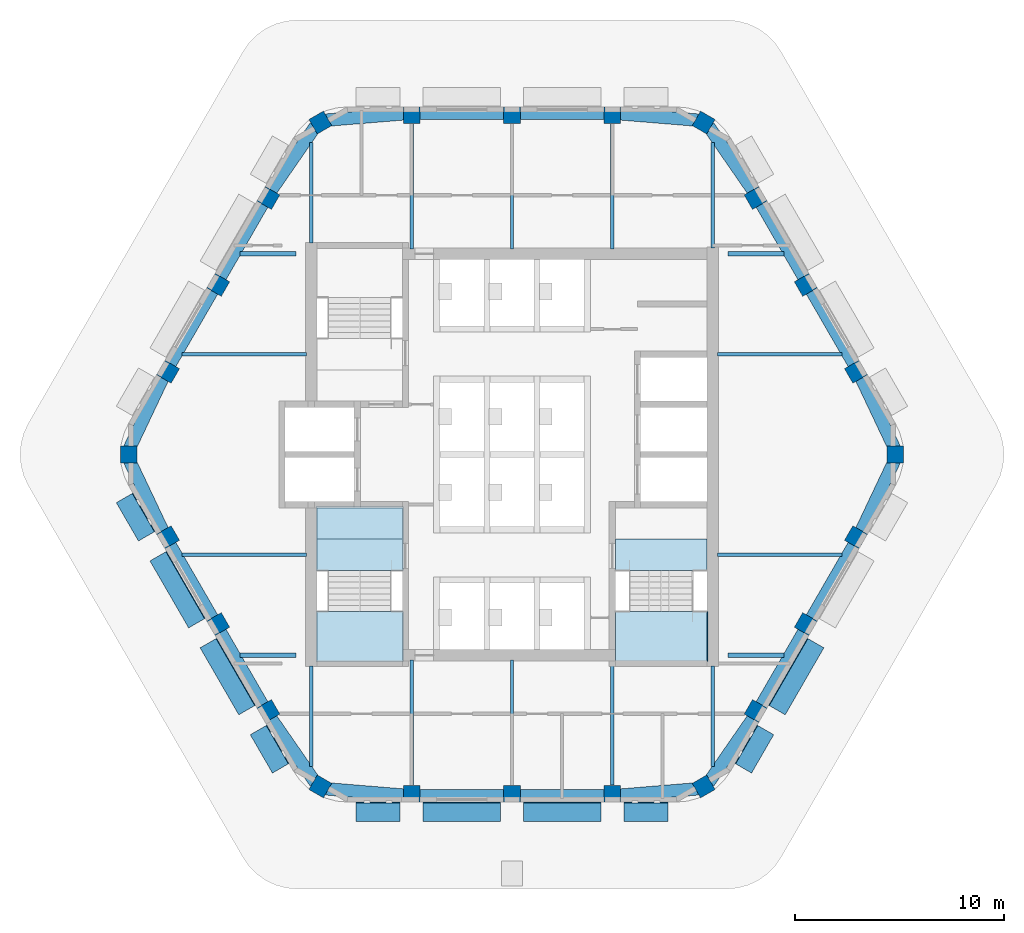
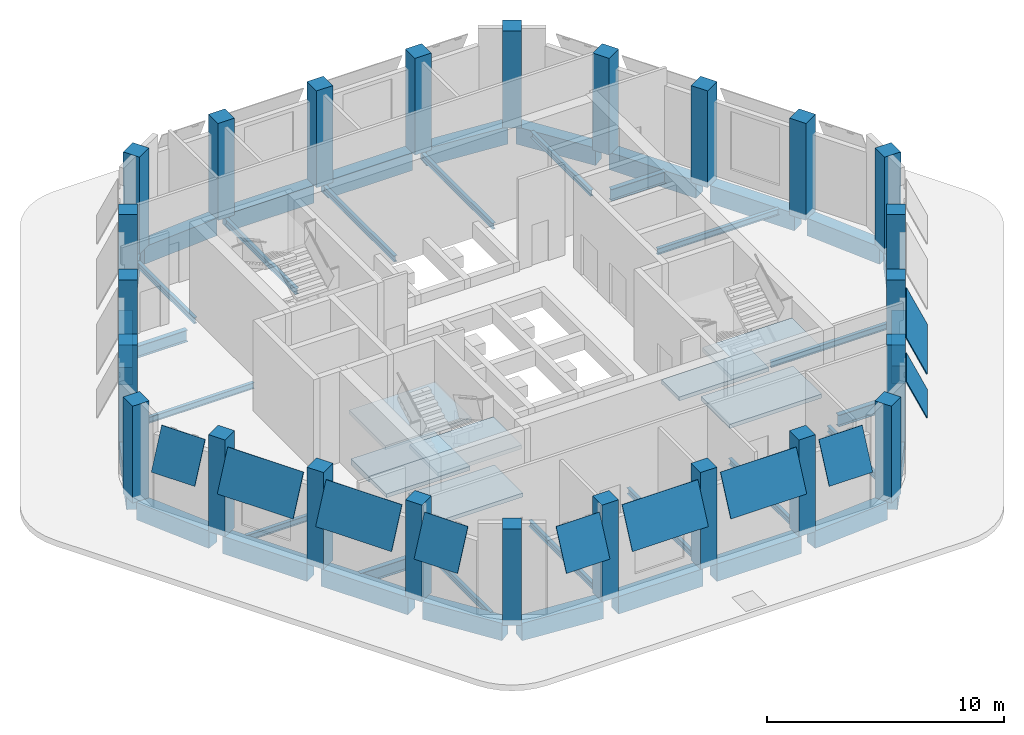
# One storey, part 1 of 9: 42 beams, 24 columns, 10 plates, 8 slabs, 2 elements without a shape of their own.
"""IFC4 building model written with IfcOpenShell, lengths in metres."""

from ifc_helpers import new_model, si_unit, direction, frame, origin, origin_2d, place, context, subcontext, project, spatial, polyline, rectangle, i_section, outline, extrude, material, layer, layer_set, material_profile, profile_set, type_object, element, aggregate, save


model = new_model("IFC4")

# Units and contexts
model_context = context("Model", 3, precision=1e-05, world=origin(), true_north=direction((0.0, 1.0)))
body_context = subcontext(model_context, "Body", "Model", "MODEL_VIEW")
ifc_project = project(units=[si_unit("LENGTHUNIT", "METRE"), si_unit("AREAUNIT", "SQUARE_METRE"), si_unit("VOLUMEUNIT", "CUBIC_METRE"), si_unit("PLANEANGLEUNIT", "RADIAN"), si_unit("MASSUNIT", "GRAM", prefix="KILO")], contexts=[model_context])

# Site, building, storey
site_placement = place(None, origin())
site = spatial("IfcSite", under=ifc_project, at=site_placement, CompositionType="ELEMENT")
building_placement = place(site_placement, origin())
building = spatial("IfcBuilding", under=site, at=building_placement, Name="Kolab Exchange Tower", CompositionType="ELEMENT")
storey_placement = place(building_placement, frame((0.0, 0.0, 296.89990234375)))
storey = spatial("IfcBuildingStorey", under=building, at=storey_placement, Name="L67", CompositionType="ELEMENT", Elevation=296.89990234375)

# Columns
ifc_material_1 = material(Name="Concrete C50/60", Category="concrete")
ifc_material_profile_1 = material_profile(ifc_material_1, rectangle(XDim=0.800048828125, YDim=0.800048828125, at=origin_2d()), Name="RC800")
ifc_profile_set_1 = profile_set([ifc_material_profile_1], Name="Concrete C50/60")
column_type = type_object("IfcColumnType", Name="PERIMETER COLUMN 800 SQ C50/60", PredefinedType="COLUMN", material=ifc_profile_set_1)
for number, where, z_axis, x_axis, name in (
    (1, (-9.16796875, 15.87939453125, -0.2998046875), (0.0, 0.0, 1.0), (0.866025403784, 0.5, 0.0), "col/L67/F1-01"),
    (2, (-4.800048828125, 16.227783203125, -0.2998046875), (0.0, 0.0, 1.0), (1.0, 0.0, 0.0), "col/L67/F1-02"),
    (3, (0.0, 16.227783203125, -0.2998046875), (0.0, 0.0, 1.0), (1.0, 0.0, 0.0), "col/L67/F1-03"),
    (4, (4.800048828125, 16.227783203125, -0.2998046875), (0.0, 0.0, 1.0), (1.0, 0.0, 0.0), "col/L67/F1-04"),
    (5, (9.16796875, 15.87939453125, -0.2998046875), (0.0, 0.0, 1.0), (0.5, 0.866025403784, 0.0), "col/L67/F2-01"),
    (6, (11.653564453125, 12.270751953125, -0.2998046875), (0.0, 0.0, 1.0), (0.866025403784, 0.5, 0.0), "col/L67/F2-02"),
    (7, (14.0537109375, 8.11376953125, -0.2998046875), (0.0, 0.0, 1.0), (0.866025403784, 0.5, 0.0), "col/L67/F2-03"),
    (8, (16.45361328125, 3.95703125, -0.2998046875), (0.0, 0.0, 1.0), (0.866025403784, 0.5, 0.0), "col/L67/F2-04"),
    (9, (18.3359375, 0.0, -0.2998046875), (0.0, 0.0, 1.0), (1.0, 0.0, 0.0), "col/L67/F3-01"),
    (10, (16.45361328125, -3.95703125, -0.2998046875), (0.0, 0.0, 1.0), (0.5, 0.866025403784, 0.0), "col/L67/F3-02"),
    (11, (14.0537109375, -8.11376953125, -0.2998046875), (0.0, 0.0, 1.0), (0.5, 0.866025403784, 0.0), "col/L67/F3-03"),
    (12, (11.653564453125, -12.270751953125, -0.2998046875), (0.0, 0.0, 1.0), (0.5, 0.866025403784, 0.0), "col/L67/F3-04"),
    (13, (9.16796875, -15.87939453125, -0.2998046875), (0.0, 0.0, 1.0), (0.866025403784, 0.5, 0.0), "col/L67/F4-01"),
    (14, (4.800048828125, -16.227783203125, -0.2998046875), (0.0, 0.0, 1.0), (1.0, 0.0, 0.0), "col/L67/F4-02"),
    (15, (0.0, -16.227783203125, -0.2998046875), (0.0, 0.0, 1.0), (1.0, 0.0, 0.0), "col/L67/F4-03"),
    (16, (-4.800048828125, -16.227783203125, -0.2998046875), (0.0, 0.0, 1.0), (1.0, 0.0, 0.0), "col/L67/F4-04"),
    (17, (-9.16796875, -15.87939453125, -0.2998046875), (0.0, 0.0, 1.0), (0.5, 0.866025403784, 0.0), "col/L67/F5-01"),
    (18, (-11.653564453125, -12.270751953125, -0.2998046875), (0.0, 0.0, 1.0), (0.866025403784, 0.5, 0.0), "col/L67/F5-02"),
    (19, (-14.0537109375, -8.11376953125, -0.2998046875), (0.0, 0.0, 1.0), (0.866025403784, 0.5, 0.0), "col/L67/F5-03"),
    (20, (-16.45361328125, -3.95703125, -0.2998046875), (0.0, 0.0, 1.0), (0.866025403784, 0.5, 0.0), "col/L67/F5-04"),
    (21, (-18.3359375, 0.0, -0.2998046875), (0.0, 0.0, 1.0), (1.0, 0.0, 0.0), "col/L67/F6-01"),
    (22, (-16.45361328125, 3.95703125, -0.2998046875), (0.0, 0.0, 1.0), (0.5, 0.866025403784, 0.0), "col/L67/F6-02"),
    (23, (-14.0537109375, 8.11376953125, -0.2998046875), (0.0, 0.0, 1.0), (0.5, 0.866025403784, 0.0), "col/L67/F6-03"),
    (24, (-11.653564453125, 12.270751953125, -0.2998046875), (0.0, 0.0, 1.0), (0.5, 0.866025403784, 0.0), "col/L67/F6-04"),
):
    element("IfcColumn", number, at=place(storey_placement, frame(where, z_axis=z_axis, x_axis=x_axis)), inside=storey, type_object=column_type, Name=name, PredefinedType="COLUMN", context=body_context, shape_type="SweptSolid", body=[
        extrude(rectangle(XDim=0.800048828125, YDim=0.800048828125, at=origin_2d()), origin(), (0.0, 0.0, 1.0), 5.0),
    ])

# Beams
ifc_material_2 = material(Name="Steel S355", Category="steel")
ifc_material_profile_2 = material_profile(ifc_material_2, i_section(OverallWidth=0.1650390625, OverallDepth=0.31005859375, WebThickness=0.005859375, FlangeThickness=0.009765625, at=origin_2d()), Name="W310X39")
ifc_profile_set_2 = profile_set([ifc_material_profile_2], Name="Steel S355")
beam_type_1 = type_object("IfcBeamType", Name="FLOOR BEAM W310X39", PredefinedType="BEAM", material=ifc_profile_set_2)
for number, where, z_axis, x_axis, name in (
    (25, (-15.77587890625, -4.800048828125, -0.454833984375), (1.0, 0.0, 0.0), (0.0, 1.0, 0.0), "beam/L67/fr/000"),
    (26, (-15.77587890625, 4.800048828125, -0.454833984375), (1.0, 0.0, 0.0), (0.0, 1.0, 0.0), "beam/L67/fr/001"),
):
    element("IfcBeam", number, at=place(storey_placement, frame(where, z_axis=z_axis, x_axis=x_axis)), inside=storey, type_object=beam_type_1, Name=name, PredefinedType="BEAM", context=body_context, shape_type="SweptSolid", body=[
        extrude(i_section(OverallWidth=0.1650390625, OverallDepth=0.31005859375, WebThickness=0.005859375, FlangeThickness=0.009765625, at=origin_2d()), origin(), (0.0, 0.0, 1.0), 5.94091796875),
    ])
for number, where, z_axis, x_axis, name in (
    (27, (-9.60009765625, -14.926513671875, -0.454833984375), (0.0, 1.0, 0.0), (-1.0, 0.0, 0.0), "beam/L67/fr/002"),
    (28, (-9.60009765625, 10.110107421875, -0.454833984375), (0.0, 1.0, 0.0), (-1.0, 0.0, 0.0), "beam/L67/fr/003"),
):
    element("IfcBeam", number, at=place(storey_placement, frame(where, z_axis=z_axis, x_axis=x_axis)), inside=storey, type_object=beam_type_1, Name=name, PredefinedType="BEAM", context=body_context, shape_type="SweptSolid", body=[
        extrude(i_section(OverallWidth=0.1650390625, OverallDepth=0.31005859375, WebThickness=0.005859375, FlangeThickness=0.009765625, at=origin_2d()), origin(), (0.0, 0.0, 1.0), 4.81640625),
    ])
for number, where, z_axis, x_axis, name in (
    (29, (-4.800048828125, -15.817626953125, -0.454833984375), (0.0, 1.0, 0.0), (-1.0, 0.0, 0.0), "beam/L67/fr/004"),
    (30, (-4.800048828125, 9.8349609375, -0.454833984375), (0.0, 1.0, 0.0), (-1.0, 0.0, 0.0), "beam/L67/fr/005"),
    (31, (0.0, -15.817626953125, -0.454833984375), (0.0, 1.0, 0.0), (-1.0, 0.0, 0.0), "beam/L67/fr/006"),
    (32, (0.0, 9.8349609375, -0.454833984375), (0.0, 1.0, 0.0), (-1.0, 0.0, 0.0), "beam/L67/fr/007"),
):
    element("IfcBeam", number, at=place(storey_placement, frame(where, z_axis=z_axis, x_axis=x_axis)), inside=storey, type_object=beam_type_1, Name=name, PredefinedType="BEAM", context=body_context, shape_type="SweptSolid", body=[
        extrude(i_section(OverallWidth=0.1650390625, OverallDepth=0.31005859375, WebThickness=0.005859375, FlangeThickness=0.009765625, at=origin_2d()), origin(), (0.0, 0.0, 1.0), 5.982666015625),
    ])
beam_1_placement = place(storey_placement, frame((4.800048828125, -15.817626953125, -0.454833984375), z_axis=(0.0, 1.0, 0.0), x_axis=(-1.0, 0.0, 0.0)))
element("IfcBeam", 33, at=beam_1_placement, inside=storey, type_object=beam_type_1, Name="beam/L67/fr/008", PredefinedType="BEAM", context=body_context, shape_type="SweptSolid", body=[
    extrude(i_section(OverallWidth=0.1650390625, OverallDepth=0.31005859375, WebThickness=0.005859375, FlangeThickness=0.009765625, at=origin_2d()), origin(), (0.0, 0.0, 1.0), 5.70751953125),
])
beam_2_placement = place(storey_placement, frame((4.800048828125, 9.8349609375, -0.454833984375), z_axis=(0.0, 1.0, 0.0), x_axis=(-1.0, 0.0, 0.0)))
element("IfcBeam", 34, at=beam_2_placement, inside=storey, type_object=beam_type_1, Name="beam/L67/fr/009", PredefinedType="BEAM", context=body_context, shape_type="SweptSolid", body=[
    extrude(i_section(OverallWidth=0.1650390625, OverallDepth=0.31005859375, WebThickness=0.005859375, FlangeThickness=0.009765625, at=origin_2d()), origin(), (0.0, 0.0, 1.0), 5.982666015625),
])
beam_3_placement = place(storey_placement, frame((9.60009765625, -14.926513671875, -0.454833984375), z_axis=(0.0, 1.0, 0.0), x_axis=(-1.0, 0.0, 0.0)))
element("IfcBeam", 35, at=beam_3_placement, inside=storey, type_object=beam_type_1, Name="beam/L67/fr/010", PredefinedType="BEAM", context=body_context, shape_type="SweptSolid", body=[
    extrude(i_section(OverallWidth=0.1650390625, OverallDepth=0.31005859375, WebThickness=0.005859375, FlangeThickness=0.009765625, at=origin_2d()), origin(), (0.0, 0.0, 1.0), 4.81640625),
])
beam_4_placement = place(storey_placement, frame((9.60009765625, 9.885009765625, -0.454833984375), z_axis=(0.0, 1.0, 0.0), x_axis=(-1.0, 0.0, 0.0)))
element("IfcBeam", 36, at=beam_4_placement, inside=storey, type_object=beam_type_1, Name="beam/L67/fr/011", PredefinedType="BEAM", context=body_context, shape_type="SweptSolid", body=[
    extrude(i_section(OverallWidth=0.1650390625, OverallDepth=0.31005859375, WebThickness=0.005859375, FlangeThickness=0.009765625, at=origin_2d()), origin(), (0.0, 0.0, 1.0), 5.04150390625),
])
for number, where, z_axis, x_axis, name in (
    (37, (9.8349609375, -4.800048828125, -0.454833984375), (1.0, 0.0, 0.0), (0.0, 1.0, 0.0), "beam/L67/fr/012"),
    (38, (9.8349609375, 4.800048828125, -0.454833984375), (1.0, 0.0, 0.0), (0.0, 1.0, 0.0), "beam/L67/fr/013"),
):
    element("IfcBeam", number, at=place(storey_placement, frame(where, z_axis=z_axis, x_axis=x_axis)), inside=storey, type_object=beam_type_1, Name=name, PredefinedType="BEAM", context=body_context, shape_type="SweptSolid", body=[
        extrude(i_section(OverallWidth=0.1650390625, OverallDepth=0.31005859375, WebThickness=0.005859375, FlangeThickness=0.009765625, at=origin_2d()), origin(), (0.0, 0.0, 1.0), 5.94091796875),
    ])
ifc_material_profile_3 = material_profile(ifc_material_2, i_section(OverallWidth=0.22802734375, OverallDepth=0.60791015625, WebThickness=0.01123046875, FlangeThickness=0.017333984375, at=origin_2d()), Name="W610X113")
ifc_profile_set_3 = profile_set([ifc_material_profile_3], Name="Steel S355")
beam_type_2 = type_object("IfcBeamType", Name="FLOOR GIRDER W610X113", PredefinedType="BEAM", material=ifc_profile_set_3)
for number, where, z_axis, x_axis, name in (
    (39, (-13.004638671875, -9.60009765625, -0.60400390625), (1.0, 0.0, 0.0), (0.0, 1.0, 0.0), "beam/L67/gd/000"),
    (40, (-13.004638671875, 9.60009765625, -0.60400390625), (1.0, 0.0, 0.0), (0.0, 1.0, 0.0), "beam/L67/gd/001"),
    (41, (10.331298828125, -9.60009765625, -0.60400390625), (1.0, 0.0, 0.0), (0.0, 1.0, 0.0), "beam/L67/gd/002"),
    (42, (10.331298828125, 9.60009765625, -0.60400390625), (1.0, 0.0, 0.0), (0.0, 1.0, 0.0), "beam/L67/gd/003"),
):
    element("IfcBeam", number, at=place(storey_placement, frame(where, z_axis=z_axis, x_axis=x_axis)), inside=storey, type_object=beam_type_2, Name=name, PredefinedType="BEAM", context=body_context, shape_type="SweptSolid", body=[
        extrude(i_section(OverallWidth=0.22802734375, OverallDepth=0.60791015625, WebThickness=0.01123046875, FlangeThickness=0.017333984375, at=origin_2d()), origin(), (0.0, 0.0, 1.0), 2.67333984375),
    ])
ifc_material_profile_4 = material_profile(ifc_material_1, rectangle(XDim=0.60009765625, YDim=0.89990234375, at=origin_2d()), Name="RC600X900")
ifc_profile_set_4 = profile_set([ifc_material_profile_4], Name="Concrete C50/60")
beam_type_3 = type_object("IfcBeamType", Name="SPANDREL BEAM 600X900 C50/60", PredefinedType="BEAM", material=ifc_profile_set_4)
beam_5_placement = place(storey_placement, frame((-8.89013671875, 15.99267578125, -0.75), z_axis=(0.996661112124, 0.081649418734, 0.0), x_axis=(-0.081649418734, 0.996661112124, 0.0)))
element("IfcBeam", 43, at=beam_5_placement, inside=storey, type_object=beam_type_3, Name="beam/L67/sp/F1-01", PredefinedType="BEAM", context=body_context, shape_type="SweptSolid", body=[
    extrude(rectangle(XDim=0.60009765625, YDim=0.89990234375, at=origin_2d()), origin(), (0.0, 0.0, 1.0), 3.7197265625),
])
for number, where, z_axis, x_axis, name in (
    (44, (-4.517822265625, 16.32763671875, -0.75), (1.0, 0.0, 0.0), (0.0, 1.0, 0.0), "beam/L67/sp/F1-02"),
    (45, (0.281982421875, 16.32763671875, -0.75), (1.0, 0.0, 0.0), (0.0, 1.0, 0.0), "beam/L67/sp/F1-03"),
):
    element("IfcBeam", number, at=place(storey_placement, frame(where, z_axis=z_axis, x_axis=x_axis)), inside=storey, type_object=beam_type_3, Name=name, PredefinedType="BEAM", context=body_context, shape_type="SweptSolid", body=[
        extrude(rectangle(XDim=0.60009765625, YDim=0.89990234375, at=origin_2d()), origin(), (0.0, 0.0, 1.0), 4.120361328125),
    ])
beam_6_placement = place(storey_placement, frame((5.091796875, 16.3037109375, -0.75), z_axis=(0.996664016545, -0.081613957904, 0.0), x_axis=(0.081613957904, 0.996664016545, 0.0)))
element("IfcBeam", 46, at=beam_6_placement, inside=storey, type_object=beam_type_3, Name="beam/L67/sp/F1-04", PredefinedType="BEAM", context=body_context, shape_type="SweptSolid", body=[
    extrude(rectangle(XDim=0.60009765625, YDim=0.89990234375, at=origin_2d()), origin(), (0.0, 0.0, 1.0), 3.81103515625),
])
beam_7_placement = place(storey_placement, frame((9.405029296875, 15.695556640625, -0.75), z_axis=(0.568991524806, -0.822343386122, 0.0), x_axis=(0.822343386122, 0.568991524806, 0.0)))
element("IfcBeam", 47, at=beam_7_placement, inside=storey, type_object=beam_type_3, Name="beam/L67/sp/F2-01", PredefinedType="BEAM", context=body_context, shape_type="SweptSolid", body=[
    extrude(rectangle(XDim=0.60009765625, YDim=0.89990234375, at=origin_2d()), origin(), (0.0, 0.0, 1.0), 3.7197265625),
])
beam_8_placement = place(storey_placement, frame((11.88134765625, 12.076416015625, -0.75), z_axis=(0.500013496215, -0.866017611601, 0.0), x_axis=(0.866017611601, 0.500013496215, 0.0)))
element("IfcBeam", 48, at=beam_8_placement, inside=storey, type_object=beam_type_3, Name="beam/L67/sp/F2-02", PredefinedType="BEAM", context=body_context, shape_type="SweptSolid", body=[
    extrude(rectangle(XDim=0.60009765625, YDim=0.89990234375, at=origin_2d()), origin(), (0.0, 0.0, 1.0), 4.23583984375),
])
beam_9_placement = place(storey_placement, frame((14.3388671875, 7.819580078125, -0.75), z_axis=(0.50001992892, -0.866013897511, 0.0), x_axis=(0.866013897511, 0.50001992892, 0.0)))
element("IfcBeam", 49, at=beam_9_placement, inside=storey, type_object=beam_type_3, Name="beam/L67/sp/F2-03", PredefinedType="BEAM", context=body_context, shape_type="SweptSolid", body=[
    extrude(rectangle(XDim=0.60009765625, YDim=0.89990234375, at=origin_2d()), origin(), (0.0, 0.0, 1.0), 4.120361328125),
])
for number, where, z_axis, x_axis, name in (
    (50, (16.70458984375, 3.65966796875, -0.75), (0.427626383379, -0.903955572049, 0.0), (0.903955572049, 0.427626383379, 0.0), "beam/L67/sp/F2-04"),
    (51, (18.295166015625, -0.29736328125, -0.75), (-0.427626383379, -0.903955572049, 0.0), (0.903955572049, -0.427626383379, 0.0), "beam/L67/sp/F3-01"),
):
    element("IfcBeam", number, at=place(storey_placement, frame(where, z_axis=z_axis, x_axis=x_axis)), inside=storey, type_object=beam_type_3, Name=name, PredefinedType="BEAM", context=body_context, shape_type="SweptSolid", body=[
        extrude(rectangle(XDim=0.60009765625, YDim=0.89990234375, at=origin_2d()), origin(), (0.0, 0.0, 1.0), 3.719482421875),
    ])
beam_10_placement = place(storey_placement, frame((16.399169921875, -4.251220703125, -0.75), z_axis=(-0.50001992892, -0.866013897511, 0.0), x_axis=(0.866013897511, -0.50001992892, 0.0)))
element("IfcBeam", 52, at=beam_10_placement, inside=storey, type_object=beam_type_3, Name="beam/L67/sp/F3-02", PredefinedType="BEAM", context=body_context, shape_type="SweptSolid", body=[
    extrude(rectangle(XDim=0.60009765625, YDim=0.89990234375, at=origin_2d()), origin(), (0.0, 0.0, 1.0), 4.120361328125),
])
beam_11_placement = place(storey_placement, frame((13.999267578125, -8.408203125, -0.75), z_axis=(-0.500013496215, -0.866017611601, 0.0), x_axis=(0.866017611601, -0.500013496215, 0.0)))
element("IfcBeam", 53, at=beam_11_placement, inside=storey, type_object=beam_type_3, Name="beam/L67/sp/F3-03", PredefinedType="BEAM", context=body_context, shape_type="SweptSolid", body=[
    extrude(rectangle(XDim=0.60009765625, YDim=0.89990234375, at=origin_2d()), origin(), (0.0, 0.0, 1.0), 4.23583984375),
])
for number, where, z_axis, x_axis, name in (
    (54, (11.521484375, -12.63671875, -0.75), (-0.568991524806, -0.822343386122, 0.0), (0.822343386122, -0.568991524806, 0.0), "beam/L67/sp/F3-04"),
    (55, (8.89013671875, -15.99267578125, -0.75), (-0.996661112124, -0.081649418734, 0.0), (0.081649418734, -0.996661112124, 0.0), "beam/L67/sp/F4-01"),
):
    element("IfcBeam", number, at=place(storey_placement, frame(where, z_axis=z_axis, x_axis=x_axis)), inside=storey, type_object=beam_type_3, Name=name, PredefinedType="BEAM", context=body_context, shape_type="SweptSolid", body=[
        extrude(rectangle(XDim=0.60009765625, YDim=0.89990234375, at=origin_2d()), origin(), (0.0, 0.0, 1.0), 3.7197265625),
    ])
for number, where, z_axis, x_axis, name in (
    (56, (4.517822265625, -16.32763671875, -0.75), (-1.0, 0.0, 0.0), (0.0, -1.0, 0.0), "beam/L67/sp/F4-02"),
    (57, (-0.281982421875, -16.32763671875, -0.75), (-1.0, 0.0, 0.0), (0.0, -1.0, 0.0), "beam/L67/sp/F4-03"),
):
    element("IfcBeam", number, at=place(storey_placement, frame(where, z_axis=z_axis, x_axis=x_axis)), inside=storey, type_object=beam_type_3, Name=name, PredefinedType="BEAM", context=body_context, shape_type="SweptSolid", body=[
        extrude(rectangle(XDim=0.60009765625, YDim=0.89990234375, at=origin_2d()), origin(), (0.0, 0.0, 1.0), 4.120361328125),
    ])
beam_12_placement = place(storey_placement, frame((-5.091796875, -16.3037109375, -0.75), z_axis=(-0.996664016545, 0.081613957904, 0.0), x_axis=(-0.081613957904, -0.996664016545, 0.0)))
element("IfcBeam", 58, at=beam_12_placement, inside=storey, type_object=beam_type_3, Name="beam/L67/sp/F4-04", PredefinedType="BEAM", context=body_context, shape_type="SweptSolid", body=[
    extrude(rectangle(XDim=0.60009765625, YDim=0.89990234375, at=origin_2d()), origin(), (0.0, 0.0, 1.0), 3.81103515625),
])
beam_13_placement = place(storey_placement, frame((-9.405029296875, -15.695556640625, -0.75), z_axis=(-0.568991524806, 0.822343386122, 0.0), x_axis=(-0.822343386122, -0.568991524806, 0.0)))
element("IfcBeam", 59, at=beam_13_placement, inside=storey, type_object=beam_type_3, Name="beam/L67/sp/F5-01", PredefinedType="BEAM", context=body_context, shape_type="SweptSolid", body=[
    extrude(rectangle(XDim=0.60009765625, YDim=0.89990234375, at=origin_2d()), origin(), (0.0, 0.0, 1.0), 3.7197265625),
])
beam_14_placement = place(storey_placement, frame((-11.88134765625, -12.076416015625, -0.75), z_axis=(-0.500013496215, 0.866017611601, 0.0), x_axis=(-0.866017611601, -0.500013496215, 0.0)))
element("IfcBeam", 60, at=beam_14_placement, inside=storey, type_object=beam_type_3, Name="beam/L67/sp/F5-02", PredefinedType="BEAM", context=body_context, shape_type="SweptSolid", body=[
    extrude(rectangle(XDim=0.60009765625, YDim=0.89990234375, at=origin_2d()), origin(), (0.0, 0.0, 1.0), 4.23583984375),
])
beam_15_placement = place(storey_placement, frame((-14.3388671875, -7.819580078125, -0.75), z_axis=(-0.50001992892, 0.866013897511, 0.0), x_axis=(-0.866013897511, -0.50001992892, 0.0)))
element("IfcBeam", 61, at=beam_15_placement, inside=storey, type_object=beam_type_3, Name="beam/L67/sp/F5-03", PredefinedType="BEAM", context=body_context, shape_type="SweptSolid", body=[
    extrude(rectangle(XDim=0.60009765625, YDim=0.89990234375, at=origin_2d()), origin(), (0.0, 0.0, 1.0), 4.120361328125),
])
for number, where, z_axis, x_axis, name in (
    (62, (-16.70458984375, -3.65966796875, -0.75), (-0.427626383379, 0.903955572049, 0.0), (-0.903955572049, -0.427626383379, 0.0), "beam/L67/sp/F5-04"),
    (63, (-18.295166015625, 0.29736328125, -0.75), (0.427626383379, 0.903955572049, 0.0), (-0.903955572049, 0.427626383379, 0.0), "beam/L67/sp/F6-01"),
):
    element("IfcBeam", number, at=place(storey_placement, frame(where, z_axis=z_axis, x_axis=x_axis)), inside=storey, type_object=beam_type_3, Name=name, PredefinedType="BEAM", context=body_context, shape_type="SweptSolid", body=[
        extrude(rectangle(XDim=0.60009765625, YDim=0.89990234375, at=origin_2d()), origin(), (0.0, 0.0, 1.0), 3.719482421875),
    ])
beam_16_placement = place(storey_placement, frame((-16.399169921875, 4.251220703125, -0.75), z_axis=(0.50001992892, 0.866013897511, 0.0), x_axis=(-0.866013897511, 0.50001992892, 0.0)))
element("IfcBeam", 64, at=beam_16_placement, inside=storey, type_object=beam_type_3, Name="beam/L67/sp/F6-02", PredefinedType="BEAM", context=body_context, shape_type="SweptSolid", body=[
    extrude(rectangle(XDim=0.60009765625, YDim=0.89990234375, at=origin_2d()), origin(), (0.0, 0.0, 1.0), 4.120361328125),
])
beam_17_placement = place(storey_placement, frame((-13.999267578125, 8.408203125, -0.75), z_axis=(0.500013496215, 0.866017611601, 0.0), x_axis=(-0.866017611601, 0.500013496215, 0.0)))
element("IfcBeam", 65, at=beam_17_placement, inside=storey, type_object=beam_type_3, Name="beam/L67/sp/F6-03", PredefinedType="BEAM", context=body_context, shape_type="SweptSolid", body=[
    extrude(rectangle(XDim=0.60009765625, YDim=0.89990234375, at=origin_2d()), origin(), (0.0, 0.0, 1.0), 4.23583984375),
])
beam_18_placement = place(storey_placement, frame((-11.521484375, 12.63671875, -0.75), z_axis=(0.568991524806, 0.822343386122, 0.0), x_axis=(-0.822343386122, 0.568991524806, 0.0)))
element("IfcBeam", 66, at=beam_18_placement, inside=storey, type_object=beam_type_3, Name="beam/L67/sp/F6-04", PredefinedType="BEAM", context=body_context, shape_type="SweptSolid", body=[
    extrude(rectangle(XDim=0.60009765625, YDim=0.89990234375, at=origin_2d()), origin(), (0.0, 0.0, 1.0), 3.7197265625),
])

# Slab
ifc_material_3 = material(Name="Concrete C35/45", Category="concrete")
ifc_layer_1 = layer(ifc_material_3, 0.300048828125)
ifc_layer_set_1 = layer_set([ifc_layer_1], Name="Concrete C35/45")
slab_type_1 = type_object("IfcSlabType", Name="FLOOR SLAB 300", PredefinedType="FLOOR", material=ifc_layer_set_1)
slab_1_placement = place(storey_placement, frame((0.0, 0.0, -0.2998046875)))
element("IfcSlab", 67, at=slab_1_placement, inside=storey, type_object=slab_type_1, Name="slab/L67/floor/3", PredefinedType="FLOOR", context=body_context, shape_type="SweptSolid", body=[
    extrude(outline(polyline([(-7.550048828125, -2.550048828125), (-9.324951171875, -2.550048828125), (-9.324951171875, -4.050048828125), (-5.25, -4.050048828125), (-5.25, -2.550048828125), (-7.25, -2.550048828125), (-7.550048828125, -2.550048828125)])), origin(), (0.0, 0.0, 1.0), 0.2998046875),
])

# Plates
ifc_material_4 = material(Name="Laminated glass, clear", Category="glass")
ifc_layer_2 = layer(ifc_material_4, 0.0400390625)
ifc_layer_set_2 = layer_set([ifc_layer_2], Name="Laminated glass, clear")
plate_type = type_object("IfcPlateType", Name="OUTER SKIN LAMINATED GLASS SHEET 40", PredefinedType="SHEET", material=ifc_layer_set_2)
plate_1_placement = place(storey_placement, frame((14.919677734375, -9.248779296875, 2.527099609375), z_axis=(0.784897489351, -0.453177384709, 0.42257092801), x_axis=(-0.500013743233, -0.86601746898, 0.0)))
element("IfcPlate", 68, at=plate_1_placement, inside=storey, type_object=plate_type, Name="Outer skin", PredefinedType="SHEET", context=body_context, shape_type="SweptSolid", body=[
    extrude(outline(polyline([(0.0, 0.0), (3.7000936100046706, -1.1102230246251565e-16), (3.700276092257063, -2.085214960370441), (0.0001824822523921022, -2.085214960370441), (0.0, 0.0)])), origin(), (0.0, 0.0, -1.0), 0.0400390625),
])
plate_2_placement = place(storey_placement, frame((12.51953125, -13.406005859375, 2.527099609375), z_axis=(0.784891112432, -0.45312116534, 0.422643054061), x_axis=(-0.499974724637, -0.86603999596, 1.1039122e-05)))
element("IfcPlate", 69, at=plate_2_placement, inside=storey, type_object=plate_type, Name="Outer skin", PredefinedType="SHEET", context=body_context, shape_type="SweptSolid", body=[
    extrude(outline(polyline([(0.0, 0.0), (2.1176960035160506, -5.551115123125783e-17), (2.117648213074376, -2.085266547008332), (-0.0002592259875631051, -2.085318138685354), (0.0, 0.0)])), origin(), (0.0, 0.0, -1.0), 0.0400390625),
])
plate_3_placement = place(storey_placement, frame((7.468017578125, -17.54541015625, 2.527099609375), z_axis=(0.0, -0.906248928223, 0.422744461932), x_axis=(-1.0, 0.0, 0.0)))
element("IfcPlate", 70, at=plate_3_placement, inside=storey, type_object=plate_type, Name="Outer skin", PredefinedType="SHEET", context=body_context, shape_type="SweptSolid", body=[
    extrude(outline(polyline([(0.0, 0.0), (2.117919921875, 0.0), (2.117919921875, -2.085401173196479), (0.0, -2.085401173196479), (0.0, 0.0)])), origin(), (0.0, 0.0, -1.0), 0.0400390625),
])
for number, where, z_axis, x_axis, name in (
    (71, (4.25, -17.54541015625, 2.527099609375), (0.0, -0.906248928223, 0.422744461932), (-1.0, 0.0, 0.0), "Outer skin"),
    (72, (-0.550048828125, -17.54541015625, 2.527099609375), (0.0, -0.906248928223, 0.422744461932), (-1.0, 0.0, 0.0), "Outer skin"),
):
    element("IfcPlate", number, at=place(storey_placement, frame(where, z_axis=z_axis, x_axis=x_axis)), inside=storey, type_object=plate_type, Name=name, PredefinedType="SHEET", context=body_context, shape_type="SweptSolid", body=[
        extrude(outline(polyline([(0.0, 0.0), (3.699951171875, 0.0), (3.699951171875, -2.085401173196479), (0.0, -2.085401173196479), (0.0, 0.0)])), origin(), (0.0, 0.0, -1.0), 0.0400390625),
    ])
plate_4_placement = place(storey_placement, frame((-5.35009765625, -17.54541015625, 2.527099609375), z_axis=(0.0, -0.906248928223, 0.422744461932), x_axis=(-1.0, 0.0, 0.0)))
element("IfcPlate", 73, at=plate_4_placement, inside=storey, type_object=plate_type, Name="Outer skin", PredefinedType="SHEET", context=body_context, shape_type="SweptSolid", body=[
    extrude(outline(polyline([(0.0, 0.0), (2.117919921875, 0.0), (2.117919921875, -2.085401173196479), (0.0, -2.085401173196479), (0.0, 0.0)])), origin(), (0.0, 0.0, -1.0), 0.0400390625),
])
plate_5_placement = place(storey_placement, frame((-11.460693359375, -15.239990234375, 2.527099609375), z_axis=(-0.784891112432, -0.45312116534, 0.422643054061), x_axis=(-0.499974724637, 0.86603999596, -1.1039122e-05)))
element("IfcPlate", 74, at=plate_5_placement, inside=storey, type_object=plate_type, Name="Outer skin", PredefinedType="SHEET", context=body_context, shape_type="SweptSolid", body=[
    extrude(outline(polyline([(0.0, 0.0), (2.1176960035160506, 5.551115123125783e-17), (2.1179552295036137, -2.085318138685354), (4.779044167451096e-05, -2.085266547008332), (0.0, 0.0)])), origin(), (0.0, 0.0, -1.0), 0.0400390625),
])
plate_6_placement = place(storey_placement, frame((-13.069580078125, -12.453125, 2.527099609375), z_axis=(-0.784897489351, -0.453177384709, 0.42257092801), x_axis=(-0.500013743233, 0.86601746898, 0.0)))
element("IfcPlate", 75, at=plate_6_placement, inside=storey, type_object=plate_type, Name="Outer skin", PredefinedType="SHEET", context=body_context, shape_type="SweptSolid", body=[
    extrude(outline(polyline([(0.0, 0.0), (3.7000936100046706, 1.1102230246251565e-16), (3.6999111277522783, -2.085214960370441), (-0.0001824822523921022, -2.085214960370441), (0.0, 0.0)])), origin(), (0.0, 0.0, -1.0), 0.0400390625),
])
plate_7_placement = place(storey_placement, frame((-15.469482421875, -8.29638671875, 2.527099609375), z_axis=(-0.784878071656, -0.453166173486, 0.422619015003), x_axis=(-0.500013743233, 0.86601746898, 0.0)))
element("IfcPlate", 76, at=plate_7_placement, inside=storey, type_object=plate_type, Name="Outer skin", PredefinedType="SHEET", context=body_context, shape_type="SweptSolid", body=[
    extrude(outline(polyline([(0.0, 0.0), (3.7000936100046706, 1.1102230246251565e-16), (3.7001225577984163, -2.085266548088635), (2.8947793745559486e-05, -2.085266548088635), (0.0, 0.0)])), origin(), (0.0, 0.0, -1.0), 0.0400390625),
])
plate_8_placement = place(storey_placement, frame((-17.86962890625, -4.139404296875, 2.527099609375), z_axis=(-0.784874443197, -0.453133621372, 0.422660655371), x_axis=(-0.499996260511, 0.866027562557, -1.9119215e-05)))
element("IfcPlate", 77, at=plate_8_placement, inside=storey, type_object=plate_type, Name="Outer skin", PredefinedType="SHEET", context=body_context, shape_type="SweptSolid", body=[
    extrude(outline(polyline([(0.0, 0.0), (2.1180295057597727, 1.1102230246251565e-16), (2.1179180413926417, -2.085355908149832), (1.0605032407880244e-05, -2.0852665460615505), (0.0, 0.0)])), origin(), (0.0, 0.0, -1.0), 0.0400390625),
])

# Stair, slabs
stair_type_1 = type_object("IfcStairType", Name="STAIR ST3 RISER 156.2", PredefinedType="DOUBLE_RETURN_STAIR", material=ifc_material_1)
stair_1_placement = place(storey_placement, origin())
stair_1 = element("IfcStair", 78, at=stair_1_placement, inside=storey, type_object=stair_type_1, Name="Stair 3", PredefinedType="DOUBLE_RETURN_STAIR")
ifc_layer_3 = layer(ifc_material_1, 0.199951171875)
ifc_layer_set_3 = layer_set([ifc_layer_3], Name="Concrete C50/60")
slab_type_2 = type_object("IfcSlabType", Name="STAIR LANDING 200", PredefinedType="LANDING", material=ifc_layer_set_3)
slab_2_placement = place(storey_placement, frame((0.0, 0.0, -0.199951171875)))
slab_2 = element("IfcSlab", 79, at=slab_2_placement, type_object=slab_type_2, Name="ST3 landing 1", PredefinedType="LANDING", context=body_context, shape_type="SweptSolid", body=[
    extrude(outline(polyline([(-9.324951171875, -5.550048828125), (-5.25, -5.550048828125), (-5.25, -4.050048828125), (-9.324951171875, -4.050048828125), (-9.324951171875, -5.550048828125)])), origin(), (0.0, 0.0, 1.0), 0.199951171875),
])
slab_3_placement = place(storey_placement, frame((0.0, 0.0, 1.050048828125)))
slab_3 = element("IfcSlab", 80, at=slab_3_placement, type_object=slab_type_2, Name="ST3 landing 2", PredefinedType="LANDING", context=body_context, shape_type="SweptSolid", body=[
    extrude(outline(polyline([(-9.385009765625, -9.909912109375), (-5.18994140625, -9.909912109375), (-5.18994140625, -7.510009765625), (-9.385009765625, -7.510009765625), (-9.385009765625, -9.909912109375)])), origin(), (0.0, 0.0, 1.0), 0.199951171875),
])
slab_4_placement = place(storey_placement, frame((0.0, 0.0, 2.300048828125)))
slab_4 = element("IfcSlab", 81, at=slab_4_placement, type_object=slab_type_2, Name="ST3 landing 3", PredefinedType="LANDING", context=body_context, shape_type="SweptSolid", body=[
    extrude(outline(polyline([(-9.385009765625, -5.550048828125), (-5.18994140625, -5.550048828125), (-5.18994140625, -2.489990234375), (-9.385009765625, -2.489990234375), (-9.385009765625, -5.550048828125)])), origin(), (0.0, 0.0, 1.0), 0.199951171875),
])
slab_5_placement = place(storey_placement, frame((0.0, 0.0, 3.550048828125)))
slab_5 = element("IfcSlab", 82, at=slab_5_placement, type_object=slab_type_2, Name="ST3 landing 4", PredefinedType="LANDING", context=body_context, shape_type="SweptSolid", body=[
    extrude(outline(polyline([(-9.324951171875, -9.909912109375), (-5.25, -9.909912109375), (-5.25, -7.510009765625), (-9.324951171875, -7.510009765625), (-9.324951171875, -9.909912109375)])), origin(), (0.0, 0.0, 1.0), 0.199951171875),
])
aggregate(stair_1, [slab_2, slab_3, slab_4, slab_5])

stair_type_2 = type_object("IfcStairType", Name="STAIR ST2 RISER 156.2", PredefinedType="DOUBLE_RETURN_STAIR", material=ifc_material_1)
stair_2_placement = place(storey_placement, origin())
stair_2 = element("IfcStair", 83, at=stair_2_placement, inside=storey, type_object=stair_type_2, Name="Stair 2", PredefinedType="DOUBLE_RETURN_STAIR")
slab_6_placement = place(storey_placement, frame((0.0, 0.0, -0.199951171875)))
slab_6 = element("IfcSlab", 84, at=slab_6_placement, type_object=slab_type_2, Name="ST2 landing 1", PredefinedType="LANDING", context=body_context, shape_type="SweptSolid", body=[
    extrude(outline(polyline([(4.949951171875, -5.550048828125), (9.324951171875, -5.550048828125), (9.324951171875, -4.050048828125), (4.949951171875, -4.050048828125), (4.949951171875, -5.550048828125)])), origin(), (0.0, 0.0, 1.0), 0.199951171875),
])
slab_7_placement = place(storey_placement, frame((0.0, 0.0, 1.050048828125)))
slab_7 = element("IfcSlab", 85, at=slab_7_placement, type_object=slab_type_2, Name="ST2 landing 2", PredefinedType="LANDING", context=body_context, shape_type="SweptSolid", body=[
    extrude(outline(polyline([(4.889892578125, -9.909912109375), (9.385009765625, -9.909912109375), (9.385009765625, -7.510009765625), (4.889892578125, -7.510009765625), (4.889892578125, -9.909912109375)])), origin(), (0.0, 0.0, 1.0), 0.199951171875),
])
slab_8_placement = place(storey_placement, frame((0.0, 0.0, 3.550048828125)))
slab_8 = element("IfcSlab", 86, at=slab_8_placement, type_object=slab_type_2, Name="ST2 landing 4", PredefinedType="LANDING", context=body_context, shape_type="SweptSolid", body=[
    extrude(outline(polyline([(4.949951171875, -9.909912109375), (9.324951171875, -9.909912109375), (9.324951171875, -7.510009765625), (4.949951171875, -7.510009765625), (4.949951171875, -9.909912109375)])), origin(), (0.0, 0.0, 1.0), 0.199951171875),
])
aggregate(stair_2, [slab_6, slab_7, slab_8])

save(model, "model.ifc")
